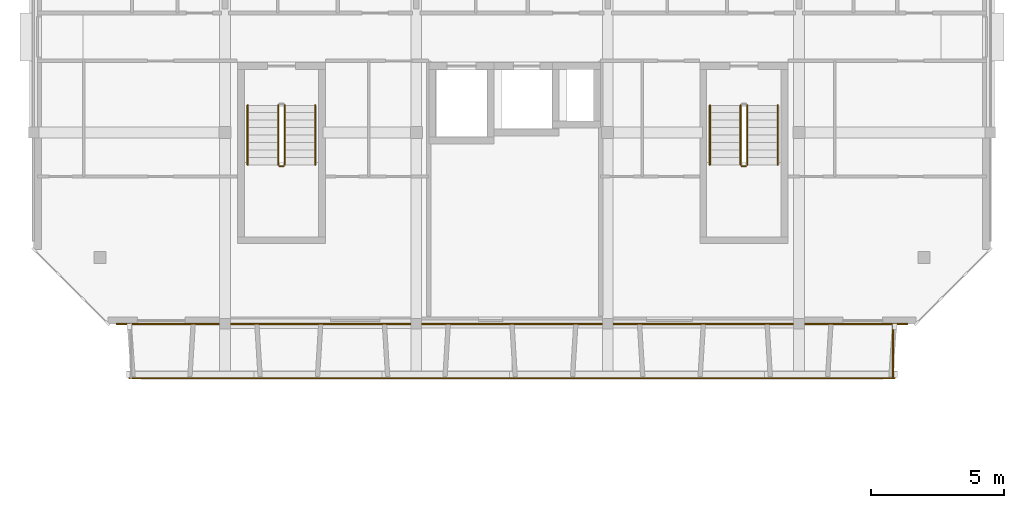
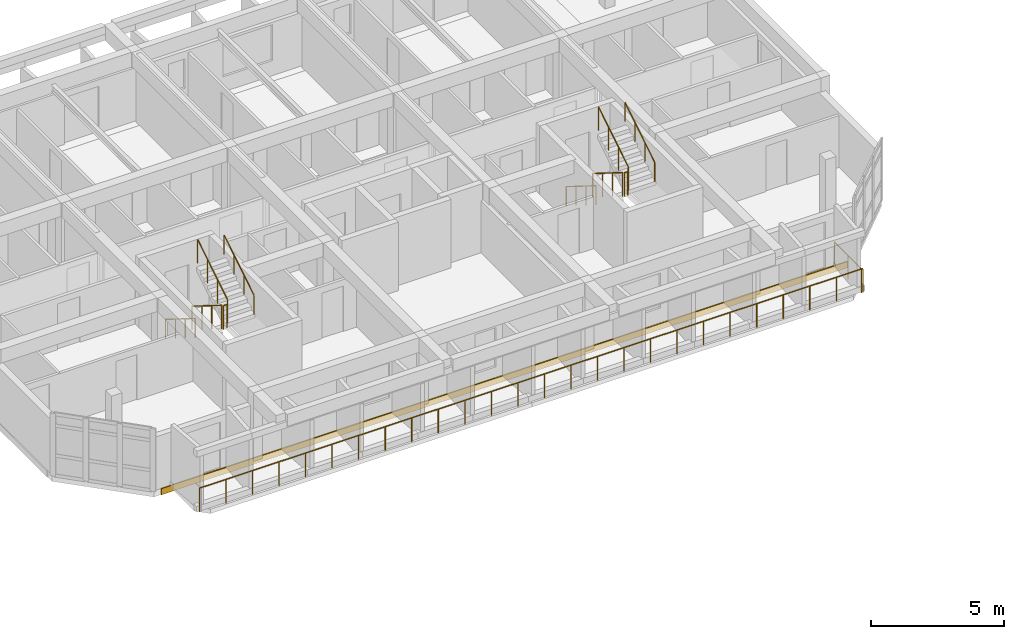
# One storey, part 16 of 19: 12 railings, 1 covering.
"""IFC4 building model written with IfcOpenShell, lengths in metres."""

from ifc_helpers import new_model, si_unit, direction, frame, origin, origin_2d, place, context, subcontext, project, spatial, rectangle, circle, extrude, material, layer, layer_set, type_object, element, save


model = new_model("IFC4")

# Units and contexts
model_context = context("Model", 3, precision=1e-05, world=origin(), true_north=direction((0.0, 1.0)))
body_context = subcontext(model_context, "Body", "Model", "MODEL_VIEW")
ifc_project = project(units=[si_unit("LENGTHUNIT", "METRE"), si_unit("AREAUNIT", "SQUARE_METRE"), si_unit("VOLUMEUNIT", "CUBIC_METRE"), si_unit("PLANEANGLEUNIT", "RADIAN"), si_unit("MASSUNIT", "GRAM", prefix="KILO")], contexts=[model_context])

# Site, building, storey
site_placement = place(None, origin())
site = spatial("IfcSite", under=ifc_project, at=site_placement, CompositionType="ELEMENT")
building_placement = place(site_placement, origin())
building = spatial("IfcBuilding", under=site, at=building_placement, Name="Ochrevale Crest", CompositionType="ELEMENT")
storey_placement = place(building_placement, frame((0.0, 0.0, 43.35009765625)))
storey = spatial("IfcBuildingStorey", under=building, at=storey_placement, Name="L13", CompositionType="ELEMENT", Elevation=43.35009765625)

# Covering
ifc_material_1 = material(Name="Glazed terracotta rainscreen tile", Category="masonry")
ifc_layer = layer(ifc_material_1, 0.048095703125)
ifc_layer_set = layer_set([ifc_layer], Name="Glazed terracotta rainscreen tile")
covering_type = type_object("IfcCoveringType", Name="COV-CLAD-TER", PredefinedType="CLADDING", material=ifc_layer_set)
covering_placement = place(storey_placement, frame((147.60009765625, 71.987548828125, -0.26025390625), z_axis=(0.0, 0.0, 1.0), x_axis=(1.0, 0.0, 0.0)))
element("IfcCovering", 1, at=covering_placement, inside=storey, type_object=covering_type, Name="Block D L13 terracotta slab-edge spandrel cladding", PredefinedType="CLADDING", context=body_context, shape_type="SweptSolid", body=[
    extrude(rectangle(XDim=29.800048828125, YDim=0.06005859375, at=origin_2d()), origin(), (0.0, 0.0, 1.0), 0.280029296875),
])

# Railings
ifc_material_2 = material(Name="Galvanised steel", Category="steel")
railing_type_1 = type_object("IfcRailingType", Name="RL-BAL-1100", PredefinedType="BALUSTRADE", material=ifc_material_2)
railing_1_placement = place(storey_placement, frame((133.199951171875, 69.9599609375, 0.0)))
element("IfcRailing", 2, at=railing_1_placement, inside=storey, type_object=railing_type_1, Name="Block D L13 S balcony front balustrade", PredefinedType="BALUSTRADE", context=body_context, shape_type="SweptSolid", body=[
    extrude(circle(Radius=0.02392578125, at=origin_2d()), frame((0.0, 0.0, 1.0859375), z_axis=(1.0, 0.0, 0.0), x_axis=(0.0, 1.0, 0.0)), (0.0, 0.0, 1.0), 28.800048828125),
    extrude(circle(Radius=0.02099609375, at=origin_2d()), origin(), (0.0, 0.0, 1.0), 1.06201171875),
    extrude(circle(Radius=0.02099609375, at=origin_2d()), frame((1.152099609375, 0.0, 0.0)), (0.0, 0.0, 1.0), 1.06201171875),
    extrude(circle(Radius=0.02099609375, at=origin_2d()), frame((2.303955078125, 0.0, 0.0)), (0.0, 0.0, 1.0), 1.06201171875),
    extrude(circle(Radius=0.02099609375, at=origin_2d()), frame((3.4560546875, 0.0, 0.0)), (0.0, 0.0, 1.0), 1.06201171875),
    extrude(circle(Radius=0.02099609375, at=origin_2d()), frame((4.60791015625, 0.0, 0.0)), (0.0, 0.0, 1.0), 1.06201171875),
    extrude(circle(Radius=0.02099609375, at=origin_2d()), frame((5.760009765625, 0.0, 0.0)), (0.0, 0.0, 1.0), 1.06201171875),
    extrude(circle(Radius=0.02099609375, at=origin_2d()), frame((6.912109375, 0.0, 0.0)), (0.0, 0.0, 1.0), 1.06201171875),
    extrude(circle(Radius=0.02099609375, at=origin_2d()), frame((8.06396484375, 0.0, 0.0)), (0.0, 0.0, 1.0), 1.06201171875),
    extrude(circle(Radius=0.02099609375, at=origin_2d()), frame((9.216064453125, 0.0, 0.0)), (0.0, 0.0, 1.0), 1.06201171875),
    extrude(circle(Radius=0.02099609375, at=origin_2d()), frame((10.367919921875, 0.0, 0.0)), (0.0, 0.0, 1.0), 1.06201171875),
    extrude(circle(Radius=0.02099609375, at=origin_2d()), frame((11.52001953125, 0.0, 0.0)), (0.0, 0.0, 1.0), 1.06201171875),
    extrude(circle(Radius=0.02099609375, at=origin_2d()), frame((12.672119140625, 0.0, 0.0)), (0.0, 0.0, 1.0), 1.06201171875),
    extrude(circle(Radius=0.02099609375, at=origin_2d()), frame((13.823974609375, 0.0, 0.0)), (0.0, 0.0, 1.0), 1.06201171875),
    extrude(circle(Radius=0.02099609375, at=origin_2d()), frame((14.97607421875, 0.0, 0.0)), (0.0, 0.0, 1.0), 1.06201171875),
    extrude(circle(Radius=0.02099609375, at=origin_2d()), frame((16.1279296875, 0.0, 0.0)), (0.0, 0.0, 1.0), 1.06201171875),
    extrude(circle(Radius=0.02099609375, at=origin_2d()), frame((17.280029296875, 0.0, 0.0)), (0.0, 0.0, 1.0), 1.06201171875),
    extrude(circle(Radius=0.02099609375, at=origin_2d()), frame((18.43212890625, 0.0, 0.0)), (0.0, 0.0, 1.0), 1.06201171875),
    extrude(circle(Radius=0.02099609375, at=origin_2d()), frame((19.583984375, 0.0, 0.0)), (0.0, 0.0, 1.0), 1.06201171875),
    extrude(circle(Radius=0.02099609375, at=origin_2d()), frame((20.736083984375, 0.0, 0.0)), (0.0, 0.0, 1.0), 1.06201171875),
    extrude(circle(Radius=0.02099609375, at=origin_2d()), frame((21.887939453125, 0.0, 0.0)), (0.0, 0.0, 1.0), 1.06201171875),
    extrude(circle(Radius=0.02099609375, at=origin_2d()), frame((23.0400390625, 0.0, 0.0)), (0.0, 0.0, 1.0), 1.06201171875),
    extrude(circle(Radius=0.02099609375, at=origin_2d()), frame((24.192138671875, 0.0, 0.0)), (0.0, 0.0, 1.0), 1.06201171875),
    extrude(circle(Radius=0.02099609375, at=origin_2d()), frame((25.343994140625, 0.0, 0.0)), (0.0, 0.0, 1.0), 1.06201171875),
    extrude(circle(Radius=0.02099609375, at=origin_2d()), frame((26.49609375, 0.0, 0.0)), (0.0, 0.0, 1.0), 1.06201171875),
    extrude(circle(Radius=0.02099609375, at=origin_2d()), frame((27.64794921875, 0.0, 0.0)), (0.0, 0.0, 1.0), 1.06201171875),
    extrude(circle(Radius=0.02099609375, at=origin_2d()), frame((28.800048828125, 0.0, 0.0)), (0.0, 0.0, 1.0), 1.06201171875),
])
railing_2_placement = place(storey_placement, frame((161.93994140625, 72.0, 0.0)))
element("IfcRailing", 3, at=railing_2_placement, inside=storey, type_object=railing_type_1, Name="Block D L13 S-E balcony side guard", PredefinedType="BALUSTRADE", context=body_context, shape_type="SweptSolid", body=[
    extrude(circle(Radius=0.02392578125, at=origin_2d()), frame((0.0, 0.0, 1.0859375), z_axis=(0.0, -1.0, 0.0), x_axis=(1.0, 0.0, 0.0)), (0.0, 0.0, 1.0), 2.0400390625),
    extrude(circle(Radius=0.02099609375, at=origin_2d()), origin(), (0.0, 0.0, 1.0), 1.06201171875),
    extrude(circle(Radius=0.02099609375, at=origin_2d()), frame((0.0, -1.02001953125, 0.0)), (0.0, 0.0, 1.0), 1.06201171875),
    extrude(circle(Radius=0.02099609375, at=origin_2d()), frame((0.0, -2.0400390625, 0.0)), (0.0, 0.0, 1.0), 1.06201171875),
])
railing_type_2 = type_object("IfcRailingType", Name="RL-ST-GUARD", PredefinedType="BALUSTRADE", material=ifc_material_2)
railing_3_placement = place(storey_placement, frame((138.800048828125, 80.22509765625, 0.1748046875)))
element("IfcRailing", 4, at=railing_3_placement, inside=storey, type_object=railing_type_2, Name="L13 ST-D1 stair guard 1", PredefinedType="BALUSTRADE", context=body_context, shape_type="SweptSolid", body=[
    extrude(circle(Radius=0.02392578125, at=origin_2d()), frame((0.0, 0.0, 1.076171875), z_axis=(0.0, -0.847972341737, 0.530040477369), x_axis=(1.0, 0.0, 0.0)), (0.0, 0.0, 1.0), 2.6416015625),
    extrude(circle(Radius=0.02099609375, at=origin_2d()), origin(), (0.0, 0.0, 1.0), 1.052001953125),
    extrude(circle(Radius=0.02099609375, at=origin_2d()), frame((0.0, -0.74658203125, 0.466796875)), (0.0, 0.0, 1.0), 1.052001953125),
    extrude(circle(Radius=0.02099609375, at=origin_2d()), frame((0.0, -1.493408203125, 0.933349609375)), (0.0, 0.0, 1.0), 1.052001953125),
    extrude(circle(Radius=0.02099609375, at=origin_2d()), frame((0.0, -2.239990234375, 1.400146484375)), (0.0, 0.0, 1.0), 1.052001953125),
])
railing_4_placement = place(storey_placement, frame((138.85009765625, 77.93505859375, 1.574951171875)))
element("IfcRailing", 5, at=railing_4_placement, inside=storey, type_object=railing_type_2, Name="L13 ST-D1 stair guard 2", PredefinedType="BALUSTRADE", context=body_context, shape_type="SweptSolid", body=[
    extrude(circle(Radius=0.02392578125, at=origin_2d()), frame((0.0, 0.0, 1.076171875), z_axis=(1.0, 0.0, 0.0), x_axis=(0.0, 1.0, 0.0)), (0.0, 0.0, 1.0), 0.14990234375),
    extrude(circle(Radius=0.02099609375, at=origin_2d()), origin(), (0.0, 0.0, 1.0), 1.052001953125),
    extrude(circle(Radius=0.02099609375, at=origin_2d()), frame((0.14990234375, 0.0, 0.0)), (0.0, 0.0, 1.0), 1.052001953125),
])
railing_5_placement = place(storey_placement, frame((139.050048828125, 77.985107421875, 1.75)))
element("IfcRailing", 6, at=railing_5_placement, inside=storey, type_object=railing_type_2, Name="L13 ST-D1 stair guard 3", PredefinedType="BALUSTRADE", context=body_context, shape_type="SweptSolid", body=[
    extrude(circle(Radius=0.02392578125, at=origin_2d()), frame((0.0, 0.0, 1.076171875), z_axis=(0.0, 0.848013881152, 0.529974015752), x_axis=(-1.0, 0.0, 0.0)), (0.0, 0.0, 1.0), 2.641357421875),
    extrude(circle(Radius=0.02099609375, at=origin_2d()), origin(), (0.0, 0.0, 1.0), 1.052001953125),
    extrude(circle(Radius=0.02099609375, at=origin_2d()), frame((0.0, 0.74658203125, 0.466552734375)), (0.0, 0.0, 1.0), 1.052001953125),
    extrude(circle(Radius=0.02099609375, at=origin_2d()), frame((0.0, 1.493408203125, 0.933349609375)), (0.0, 0.0, 1.0), 1.052001953125),
    extrude(circle(Radius=0.02099609375, at=origin_2d()), frame((0.0, 2.239990234375, 1.39990234375)), (0.0, 0.0, 1.0), 1.052001953125),
])
railing_6_placement = place(storey_placement, frame((156.199951171875, 80.22509765625, 0.1748046875)))
element("IfcRailing", 7, at=railing_6_placement, inside=storey, type_object=railing_type_2, Name="L13 ST-D2 stair guard 1", PredefinedType="BALUSTRADE", context=body_context, shape_type="SweptSolid", body=[
    extrude(circle(Radius=0.02392578125, at=origin_2d()), frame((0.0, 0.0, 1.076171875), z_axis=(0.0, -0.847972341737, 0.530040477369), x_axis=(1.0, 0.0, 0.0)), (0.0, 0.0, 1.0), 2.6416015625),
    extrude(circle(Radius=0.02099609375, at=origin_2d()), origin(), (0.0, 0.0, 1.0), 1.052001953125),
    extrude(circle(Radius=0.02099609375, at=origin_2d()), frame((0.0, -0.74658203125, 0.466796875)), (0.0, 0.0, 1.0), 1.052001953125),
    extrude(circle(Radius=0.02099609375, at=origin_2d()), frame((0.0, -1.493408203125, 0.933349609375)), (0.0, 0.0, 1.0), 1.052001953125),
    extrude(circle(Radius=0.02099609375, at=origin_2d()), frame((0.0, -2.239990234375, 1.400146484375)), (0.0, 0.0, 1.0), 1.052001953125),
])
railing_7_placement = place(storey_placement, frame((156.25, 77.93505859375, 1.574951171875)))
element("IfcRailing", 8, at=railing_7_placement, inside=storey, type_object=railing_type_2, Name="L13 ST-D2 stair guard 2", PredefinedType="BALUSTRADE", context=body_context, shape_type="SweptSolid", body=[
    extrude(circle(Radius=0.02392578125, at=origin_2d()), frame((0.0, 0.0, 1.076171875), z_axis=(1.0, 0.0, 0.0), x_axis=(0.0, 1.0, 0.0)), (0.0, 0.0, 1.0), 0.14990234375),
    extrude(circle(Radius=0.02099609375, at=origin_2d()), origin(), (0.0, 0.0, 1.0), 1.052001953125),
    extrude(circle(Radius=0.02099609375, at=origin_2d()), frame((0.14990234375, 0.0, 0.0)), (0.0, 0.0, 1.0), 1.052001953125),
])
railing_8_placement = place(storey_placement, frame((156.449951171875, 77.985107421875, 1.75)))
element("IfcRailing", 9, at=railing_8_placement, inside=storey, type_object=railing_type_2, Name="L13 ST-D2 stair guard 3", PredefinedType="BALUSTRADE", context=body_context, shape_type="SweptSolid", body=[
    extrude(circle(Radius=0.02392578125, at=origin_2d()), frame((0.0, 0.0, 1.076171875), z_axis=(0.0, 0.848013881152, 0.529974015752), x_axis=(-1.0, 0.0, 0.0)), (0.0, 0.0, 1.0), 2.641357421875),
    extrude(circle(Radius=0.02099609375, at=origin_2d()), origin(), (0.0, 0.0, 1.0), 1.052001953125),
    extrude(circle(Radius=0.02099609375, at=origin_2d()), frame((0.0, 0.74658203125, 0.466552734375)), (0.0, 0.0, 1.0), 1.052001953125),
    extrude(circle(Radius=0.02099609375, at=origin_2d()), frame((0.0, 1.493408203125, 0.933349609375)), (0.0, 0.0, 1.0), 1.052001953125),
    extrude(circle(Radius=0.02099609375, at=origin_2d()), frame((0.0, 2.239990234375, 1.39990234375)), (0.0, 0.0, 1.0), 1.052001953125),
])
ifc_material_3 = material(Name="Stainless steel", Category="steel")
railing_type_3 = type_object("IfcRailingType", Name="RL-ST-HRAIL", PredefinedType="HANDRAIL", material=ifc_material_3)
railing_9_placement = place(storey_placement, frame((137.64990234375, 80.22509765625, 0.1748046875)))
element("IfcRailing", 10, at=railing_9_placement, inside=storey, type_object=railing_type_3, Name="L13 ST-D1 stair handrail 1", PredefinedType="HANDRAIL", context=body_context, shape_type="SweptSolid", body=[
    extrude(circle(Radius=0.02392578125, at=origin_2d()), frame((0.0, 0.0, 0.8759765625), z_axis=(0.0, -0.847972341737, 0.530040477369), x_axis=(1.0, 0.0, 0.0)), (0.0, 0.0, 1.0), 2.6416015625),
    extrude(circle(Radius=0.02099609375, at=origin_2d()), origin(), (0.0, 0.0, 1.0), 0.851806640625),
    extrude(circle(Radius=0.02099609375, at=origin_2d()), frame((0.0, -0.74658203125, 0.466796875)), (0.0, 0.0, 1.0), 0.851806640625),
    extrude(circle(Radius=0.02099609375, at=origin_2d()), frame((0.0, -1.493408203125, 0.933349609375)), (0.0, 0.0, 1.0), 0.851806640625),
    extrude(circle(Radius=0.02099609375, at=origin_2d()), frame((0.0, -2.239990234375, 1.400146484375)), (0.0, 0.0, 1.0), 0.851806640625),
])
railing_10_placement = place(storey_placement, frame((140.199951171875, 77.985107421875, 1.75)))
element("IfcRailing", 11, at=railing_10_placement, inside=storey, type_object=railing_type_3, Name="L13 ST-D1 stair handrail 2", PredefinedType="HANDRAIL", context=body_context, shape_type="SweptSolid", body=[
    extrude(circle(Radius=0.02392578125, at=origin_2d()), frame((0.0, 0.0, 0.8759765625), z_axis=(0.0, 0.848013881152, 0.529974015752), x_axis=(-1.0, 0.0, 0.0)), (0.0, 0.0, 1.0), 2.641357421875),
    extrude(circle(Radius=0.02099609375, at=origin_2d()), origin(), (0.0, 0.0, 1.0), 0.851806640625),
    extrude(circle(Radius=0.02099609375, at=origin_2d()), frame((0.0, 0.74658203125, 0.466552734375)), (0.0, 0.0, 1.0), 0.851806640625),
    extrude(circle(Radius=0.02099609375, at=origin_2d()), frame((0.0, 1.493408203125, 0.933349609375)), (0.0, 0.0, 1.0), 0.851806640625),
    extrude(circle(Radius=0.02099609375, at=origin_2d()), frame((0.0, 2.239990234375, 1.39990234375)), (0.0, 0.0, 1.0), 0.851806640625),
])
railing_11_placement = place(storey_placement, frame((155.050048828125, 80.22509765625, 0.1748046875)))
element("IfcRailing", 12, at=railing_11_placement, inside=storey, type_object=railing_type_3, Name="L13 ST-D2 stair handrail 1", PredefinedType="HANDRAIL", context=body_context, shape_type="SweptSolid", body=[
    extrude(circle(Radius=0.02392578125, at=origin_2d()), frame((0.0, 0.0, 0.8759765625), z_axis=(0.0, -0.847972341737, 0.530040477369), x_axis=(1.0, 0.0, 0.0)), (0.0, 0.0, 1.0), 2.6416015625),
    extrude(circle(Radius=0.02099609375, at=origin_2d()), origin(), (0.0, 0.0, 1.0), 0.851806640625),
    extrude(circle(Radius=0.02099609375, at=origin_2d()), frame((0.0, -0.74658203125, 0.466796875)), (0.0, 0.0, 1.0), 0.851806640625),
    extrude(circle(Radius=0.02099609375, at=origin_2d()), frame((0.0, -1.493408203125, 0.933349609375)), (0.0, 0.0, 1.0), 0.851806640625),
    extrude(circle(Radius=0.02099609375, at=origin_2d()), frame((0.0, -2.239990234375, 1.400146484375)), (0.0, 0.0, 1.0), 0.851806640625),
])
railing_12_placement = place(storey_placement, frame((157.60009765625, 77.985107421875, 1.75)))
element("IfcRailing", 13, at=railing_12_placement, inside=storey, type_object=railing_type_3, Name="L13 ST-D2 stair handrail 2", PredefinedType="HANDRAIL", context=body_context, shape_type="SweptSolid", body=[
    extrude(circle(Radius=0.02392578125, at=origin_2d()), frame((0.0, 0.0, 0.8759765625), z_axis=(0.0, 0.848013881152, 0.529974015752), x_axis=(-1.0, 0.0, 0.0)), (0.0, 0.0, 1.0), 2.641357421875),
    extrude(circle(Radius=0.02099609375, at=origin_2d()), origin(), (0.0, 0.0, 1.0), 0.851806640625),
    extrude(circle(Radius=0.02099609375, at=origin_2d()), frame((0.0, 0.74658203125, 0.466552734375)), (0.0, 0.0, 1.0), 0.851806640625),
    extrude(circle(Radius=0.02099609375, at=origin_2d()), frame((0.0, 1.493408203125, 0.933349609375)), (0.0, 0.0, 1.0), 0.851806640625),
    extrude(circle(Radius=0.02099609375, at=origin_2d()), frame((0.0, 2.239990234375, 1.39990234375)), (0.0, 0.0, 1.0), 0.851806640625),
])

save(model, "model.ifc")
